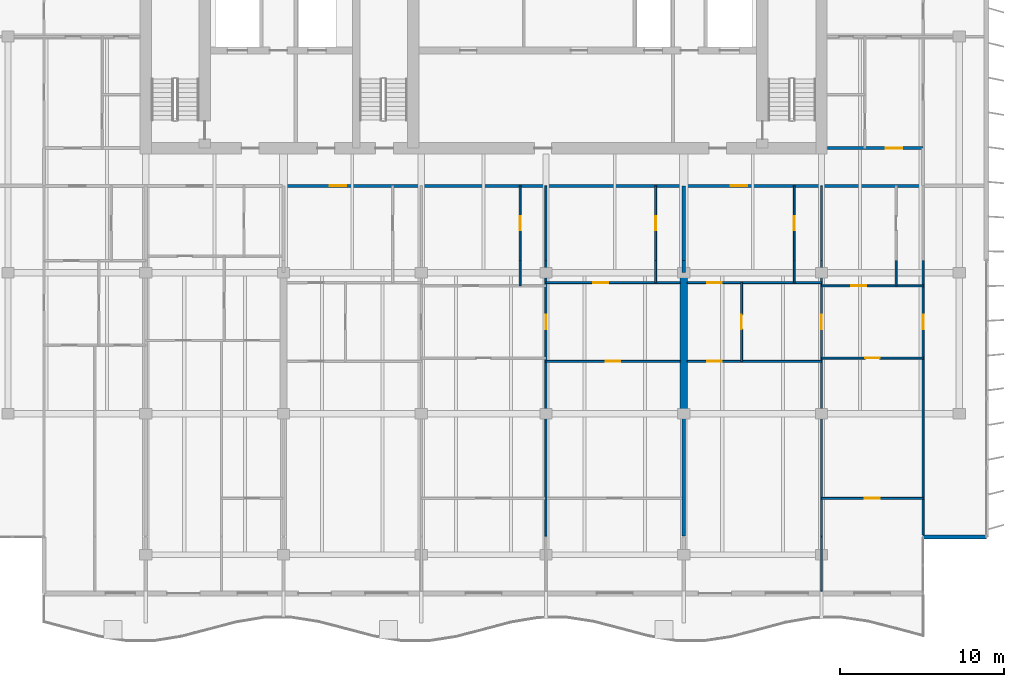
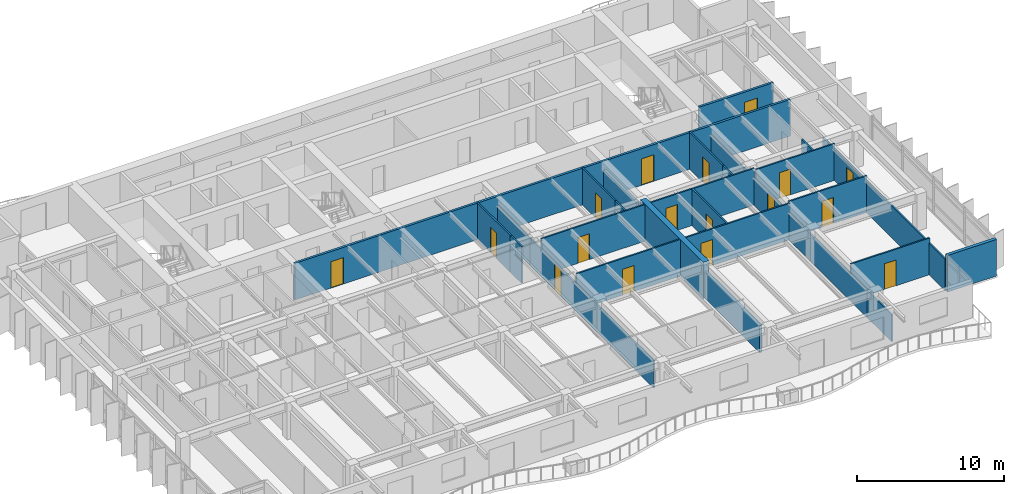
# One storey, part 8 of 16: 28 walls, 17 doors, 17 openings.
"""IFC4 building model written with IfcOpenShell, lengths in metres."""

from ifc_helpers import new_model, si_unit, direction, frame, frame_2d, origin, place, context, subcontext, project, spatial, rectangle, extrude, material, layer, layer_set, type_object, element, fill, save


model = new_model("IFC4")

# Units and contexts
model_context = context("Model", 3, precision=1e-05, world=origin(), true_north=direction((0.0, 1.0)))
body_context = subcontext(model_context, "Body", "Model", "MODEL_VIEW")
ifc_project = project(units=[si_unit("LENGTHUNIT", "METRE"), si_unit("AREAUNIT", "SQUARE_METRE"), si_unit("VOLUMEUNIT", "CUBIC_METRE"), si_unit("PLANEANGLEUNIT", "RADIAN"), si_unit("MASSUNIT", "GRAM", prefix="KILO")], contexts=[model_context])

# Site, building, storey
site_placement = place(None, origin())
site = spatial("IfcSite", under=ifc_project, at=site_placement, CompositionType="ELEMENT")
building_placement = place(site_placement, origin())
building = spatial("IfcBuilding", under=site, at=building_placement, Name="Caelmar Bay Residences", CompositionType="ELEMENT")
storey_placement = place(building_placement, frame((0.0, 0.0, 249.60009765625)))
storey = spatial("IfcBuildingStorey", under=building, at=storey_placement, Name="L70", CompositionType="ELEMENT", Elevation=249.60009765625)

# Wall
ifc_material_1 = material(Name="Concrete f'c 55 MPa (8,000 psi)", Category="concrete")
ifc_layer_1 = layer(ifc_material_1, 0.449951171875)
ifc_layer_set_1 = layer_set([ifc_layer_1], Name="Concrete f'c 55 MPa (8,000 psi)")
wall_type_1 = type_object("IfcWallType", Name="SW-XSLB-450", PredefinedType="SHEAR", material=ifc_layer_set_1)
wall_1_placement = place(storey_placement, frame((51.10009765625, 20.800048828125, 0.0), z_axis=(0.0, 0.0, 1.0), x_axis=(0.0, 1.0, 0.0)))
element("IfcWall", 1, at=wall_1_placement, inside=storey, type_object=wall_type_1, Name="L70 Transverse Cross-Slab Shear Wall E8", PredefinedType="SHEAR", context=body_context, shape_type="SweptSolid", body=[
    extrude(rectangle(XDim=8.599853515625, YDim=0.449951171875, at=frame_2d((4.2998046875, 0.0))), origin(), (0.0, 0.0, 1.0), 3.0498046875),
])

# Wall, openings, doors
ifc_material_2 = material(Name="Double-stud acoustic fire-rated gypsum partition 180 mm")
ifc_layer_2 = layer(ifc_material_2, 0.179931640625)
ifc_layer_set_2 = layer_set([ifc_layer_2], Name="Double-stud acoustic fire-rated gypsum partition 180 mm")
wall_type_2 = type_object("IfcWallType", Name="W-COR-200", PredefinedType="PARTITIONING", material=ifc_layer_set_2)
wall_2_placement = place(storey_placement, frame((26.699951171875, 34.699951171875, 0.0), z_axis=(0.0, 0.0, 1.0), x_axis=(1.0, 0.0, 0.0)))
wall_2 = element("IfcWall", 2, at=wall_2_placement, inside=storey, type_object=wall_type_2, Name="L70 Partition Wall H086", PredefinedType="PARTITIONING", context=body_context, shape_type="SweptSolid", body=[
    extrude(rectangle(XDim=39.0, YDim=0.179931640625, at=frame_2d((19.5, 0.0))), origin(), (0.0, 0.0, 1.0), 3.0498046875),
])
opening_1_placement = place(wall_2_placement, frame((2.826904296875, 0.0, 0.0)))
opening_1 = element("IfcOpeningElement", 3, at=opening_1_placement, cuts=wall_2, Name="Opening D-L70-137", PredefinedType="OPENING", context=body_context, shape_type="SweptSolid", body=[
    extrude(rectangle(XDim=1.0, YDim=2.199951171875, at=frame_2d((0.5, 1.10009765625))), frame((0.0, 0.099853515625, 0.0), z_axis=(0.0, -1.0, 0.0), x_axis=(1.0, 0.0, 0.0)), (0.0, 0.0, 1.0), 0.199951171875),
])
opening_2_placement = place(wall_2_placement, frame((27.26953125, 0.0, 0.0)))
opening_2 = element("IfcOpeningElement", 4, at=opening_2_placement, cuts=wall_2, Name="Opening D-L70-152", PredefinedType="OPENING", context=body_context, shape_type="SweptSolid", body=[
    extrude(rectangle(XDim=1.0, YDim=2.199951171875, at=frame_2d((0.5, 1.10009765625))), frame((0.0, 0.099853515625, 0.0), z_axis=(0.0, -1.0, 0.0), x_axis=(1.0, 0.0, 0.0)), (0.0, 0.0, 1.0), 0.199951171875),
])
ifc_material_3 = material(Name="Fire-rated steel and walnut architectural door assembly", Category="steel")
ifc_layer_3 = layer(ifc_material_3, 0.050048828125)
ifc_layer_set_3 = layer_set([ifc_layer_3], Name="Fire-rated steel and walnut architectural door assembly")
door_type_1 = type_object("IfcDoorType", Name="D-UNIT-1000", OperationType="NOTDEFINED", PredefinedType="DOOR", material=ifc_layer_set_3)
door_1_placement = place(opening_1_placement, origin())
door_1 = element("IfcDoor", 5, at=door_1_placement, inside=storey, type_object=door_type_1, Name="L70 Residence 03 Apartment Hall Door", OperationType="SINGLE_SWING_LEFT", OverallHeight=2.199951171875, OverallWidth=1.0, PredefinedType="DOOR", context=body_context, shape_type="SweptSolid", body=[
    extrude(rectangle(XDim=1.0, YDim=2.199951171875, at=frame_2d((0.5, 1.10009765625))), frame((0.0, 0.02490234375, 0.0), z_axis=(0.0, -1.0, 0.0), x_axis=(1.0, 0.0, 0.0)), (0.0, 0.0, 1.0), 0.050048828125),
])
fill(opening_1, door_1)
door_2_placement = place(opening_2_placement, origin())
door_2 = element("IfcDoor", 6, at=door_2_placement, inside=storey, type_object=door_type_1, Name="L70 Residence 04 Apartment Hall Door", OperationType="SINGLE_SWING_RIGHT", OverallHeight=2.199951171875, OverallWidth=1.0, PredefinedType="DOOR", context=body_context, shape_type="SweptSolid", body=[
    extrude(rectangle(XDim=1.0, YDim=2.199951171875, at=frame_2d((0.5, 1.10009765625))), frame((0.0, 0.02490234375, 0.0), z_axis=(0.0, -1.0, 0.0), x_axis=(1.0, 0.0, 0.0)), (0.0, 0.0, 1.0), 0.050048828125),
])
fill(opening_2, door_2)

# Wall, opening, door
wall_3_placement = place(storey_placement, frame((59.85498046875, 37.0, 0.0), z_axis=(0.0, 0.0, 1.0), x_axis=(1.0, 0.0, 0.0)))
wall_3 = element("IfcWall", 7, at=wall_3_placement, inside=storey, type_object=wall_type_2, Name="L70 Partition Wall H089", PredefinedType="PARTITIONING", context=body_context, shape_type="SweptSolid", body=[
    extrude(rectangle(XDim=5.844970703125, YDim=0.179931640625, at=frame_2d((2.92236328125, 0.0))), origin(), (0.0, 0.0, 1.0), 3.0498046875),
])
opening_3_placement = place(wall_3_placement, frame((3.570068359375, 0.0, 0.0)))
opening_3 = element("IfcOpeningElement", 8, at=opening_3_placement, cuts=wall_3, Name="Opening D-L70-170", PredefinedType="OPENING", context=body_context, shape_type="SweptSolid", body=[
    extrude(rectangle(XDim=1.0, YDim=2.199951171875, at=frame_2d((0.5, 1.10009765625))), frame((0.0, 0.099853515625, 0.0), z_axis=(0.0, -1.0, 0.0), x_axis=(1.0, 0.0, 0.0)), (0.0, 0.0, 1.0), 0.199951171875),
])
door_3_placement = place(opening_3_placement, origin())
door_3 = element("IfcDoor", 9, at=door_3_placement, inside=storey, type_object=door_type_1, Name="L70 Residence EA Kitchen Door", OperationType="SINGLE_SWING_RIGHT", OverallHeight=2.199951171875, OverallWidth=1.0, PredefinedType="DOOR", context=body_context, shape_type="SweptSolid", body=[
    extrude(rectangle(XDim=1.0, YDim=2.199951171875, at=frame_2d((0.5, 1.10009765625))), frame((0.0, 0.02490234375, 0.0), z_axis=(0.0, -1.0, 0.0), x_axis=(1.0, 0.0, 0.0)), (0.0, 0.0, 1.0), 0.050048828125),
])
fill(opening_3, door_3)

# Walls
ifc_material_4 = material(Name="Precast concrete f'c 40 MPa (6,000 psi)", Category="concrete")
ifc_layer_4 = layer(ifc_material_4, 0.25)
ifc_layer_set_4 = layer_set([ifc_layer_4], Name="Precast concrete f'c 40 MPa (6,000 psi)")
wall_type_3 = type_object("IfcWallType", Name="W-EXT-250", PredefinedType="ELEMENTEDWALL", material=ifc_layer_set_4)
wall_4_placement = place(storey_placement, frame((65.699951171875, 13.300048828125, 0.0), z_axis=(0.0, 0.0, 1.0), x_axis=(1.0, 0.0, 0.0)))
element("IfcWall", 10, at=wall_4_placement, inside=storey, type_object=wall_type_3, Name="L70 SE Notch Return Wall", PredefinedType="ELEMENTEDWALL", context=body_context, shape_type="SweptSolid", body=[
    extrude(rectangle(XDim=3.85009765625, YDim=0.25, at=frame_2d((1.925048828125, 0.0))), origin(), (0.0, 0.0, 1.0), 3.0498046875),
])
ifc_material_5 = material(Name="Acoustic metal-stud gypsum partition 120 mm")
ifc_layer_5 = layer(ifc_material_5, 0.1201171875)
ifc_layer_set_5 = layer_set([ifc_layer_5], Name="Acoustic metal-stud gypsum partition 120 mm")
wall_type_4 = type_object("IfcWallType", Name="W-PRT-120", PredefinedType="PARTITIONING", material=ifc_layer_set_5)
wall_5_placement = place(storey_placement, frame((41.1259765625, 28.60009765625, 0.0), z_axis=(0.0, 0.0, 1.0), x_axis=(0.0, 1.0, 0.0)))
element("IfcWall", 11, at=wall_5_placement, inside=storey, type_object=wall_type_4, Name="L70 Partition Wall V035", PredefinedType="PARTITIONING", context=body_context, shape_type="SweptSolid", body=[
    extrude(rectangle(XDim=1.539794921875, YDim=0.1201171875, at=frame_2d((0.77001953125, 0.0))), origin(), (0.0, 0.0, 1.0), 3.0498046875),
])

# Wall, opening, door
wall_6_placement = place(storey_placement, frame((41.1259765625, 30.14990234375, 0.0), z_axis=(0.0, 0.0, 1.0), x_axis=(0.0, 1.0, 0.0)))
wall_6 = element("IfcWall", 12, at=wall_6_placement, inside=storey, type_object=wall_type_4, Name="L70 Partition Wall V036", PredefinedType="PARTITIONING", context=body_context, shape_type="SweptSolid", body=[
    extrude(rectangle(XDim=4.550048828125, YDim=0.1201171875, at=frame_2d((2.27490234375, 0.0))), origin(), (0.0, 0.0, 1.0), 3.0498046875),
])
opening_4_placement = place(wall_6_placement, frame((1.85009765625, 0.0, 0.0)))
opening_4 = element("IfcOpeningElement", 13, at=opening_4_placement, cuts=wall_6, Name="Opening D-L70-144", PredefinedType="OPENING", context=body_context, shape_type="SweptSolid", body=[
    extrude(rectangle(XDim=0.85009765625, YDim=2.10009765625, at=frame_2d((0.425048828125, 1.050048828125))), frame((0.0, 0.070068359375, 0.0), z_axis=(0.0, -1.0, 0.0), x_axis=(1.0, 0.0, 0.0)), (0.0, 0.0, 1.0), 0.14013671875),
])
ifc_material_6 = material(Name="Solid walnut timber interior door leaf and frame", Category="wood")
ifc_layer_6 = layer(ifc_material_6, 0.050048828125)
ifc_layer_set_6 = layer_set([ifc_layer_6], Name="Solid walnut timber interior door leaf and frame")
door_type_2 = type_object("IfcDoorType", Name="D-BATH-850", OperationType="NOTDEFINED", PredefinedType="DOOR", material=ifc_layer_set_6)
door_4_placement = place(opening_4_placement, origin())
door_4 = element("IfcDoor", 14, at=door_4_placement, inside=storey, type_object=door_type_2, Name="L70 Residence 03 En-Suite Bathroom 1 Door", OperationType="SINGLE_SWING_RIGHT", OverallHeight=2.10009765625, OverallWidth=0.85009765625, PredefinedType="DOOR", context=body_context, shape_type="SweptSolid", body=[
    extrude(rectangle(XDim=0.85009765625, YDim=2.10009765625, at=frame_2d((0.425048828125, 1.050048828125))), frame((0.0, 0.02490234375, 0.0), z_axis=(0.0, -1.0, 0.0), x_axis=(1.0, 0.0, 0.0)), (0.0, 0.0, 1.0), 0.050048828125),
])
fill(opening_4, door_4)

wall_7_placement = place(storey_placement, frame((42.699951171875, 13.340087890625, 0.0), z_axis=(0.0, 0.0, 1.0), x_axis=(0.0, 1.0, 0.0)))
wall_7 = element("IfcWall", 15, at=wall_7_placement, inside=storey, type_object=wall_type_4, Name="L70 Partition Wall V039", PredefinedType="PARTITIONING", context=body_context, shape_type="SweptSolid", body=[
    extrude(rectangle(XDim=16.7998046875, YDim=0.1201171875, at=frame_2d((8.39990234375, 0.0))), origin(), (0.0, 0.0, 1.0), 2.262939453125),
])
opening_5_placement = place(wall_7_placement, frame((12.610107421875, 0.0, 0.0)))
opening_5 = element("IfcOpeningElement", 16, at=opening_5_placement, cuts=wall_7, Name="Opening D-L70-147", PredefinedType="OPENING", context=body_context, shape_type="SweptSolid", body=[
    extrude(rectangle(XDim=0.89990234375, YDim=2.14990234375, at=frame_2d((0.449951171875, 1.074951171875))), frame((0.0, 0.070068359375, 0.0), z_axis=(0.0, -1.0, 0.0), x_axis=(1.0, 0.0, 0.0)), (0.0, 0.0, 1.0), 0.14013671875),
])
ifc_layer_7 = layer(ifc_material_6, 0.050048828125)
ifc_layer_set_7 = layer_set([ifc_layer_7], Name="Solid walnut timber interior door leaf and frame")
door_type_3 = type_object("IfcDoorType", Name="D-ROOM-900", OperationType="NOTDEFINED", PredefinedType="DOOR", material=ifc_layer_set_7)
door_5_placement = place(opening_5_placement, origin())
door_5 = element("IfcDoor", 17, at=door_5_placement, inside=storey, type_object=door_type_3, Name="L70 Residence 03 Conference Study 2 Door", OperationType="SINGLE_SWING_LEFT", OverallHeight=2.14990234375, OverallWidth=0.89990234375, PredefinedType="DOOR", context=body_context, shape_type="SweptSolid", body=[
    extrude(rectangle(XDim=0.89990234375, YDim=2.14990234375, at=frame_2d((0.449951171875, 1.074951171875))), frame((0.0, 0.02490234375, 0.0), z_axis=(0.0, -1.0, 0.0), x_axis=(1.0, 0.0, 0.0)), (0.0, 0.0, 1.0), 0.050048828125),
])
fill(opening_5, door_5)

# Walls
wall_8_placement = place(storey_placement, frame((42.699951171875, 30.14990234375, 0.0), z_axis=(0.0, 0.0, 1.0), x_axis=(0.0, 1.0, 0.0)))
element("IfcWall", 18, at=wall_8_placement, inside=storey, type_object=wall_type_4, Name="L70 Partition Wall V040", PredefinedType="PARTITIONING", context=body_context, shape_type="SweptSolid", body=[
    extrude(rectangle(XDim=4.550048828125, YDim=0.1201171875, at=frame_2d((2.27490234375, 0.0))), origin(), (0.0, 0.0, 1.0), 2.262939453125),
])
wall_9_placement = place(storey_placement, frame((49.387939453125, 28.800048828125, 0.0), z_axis=(0.0, 0.0, 1.0), x_axis=(0.0, 1.0, 0.0)))
element("IfcWall", 19, at=wall_9_placement, inside=storey, type_object=wall_type_4, Name="L70 Partition Wall V043", PredefinedType="PARTITIONING", context=body_context, shape_type="SweptSolid", body=[
    extrude(rectangle(XDim=1.33984375, YDim=0.1201171875, at=frame_2d((0.669921875, 0.0))), origin(), (0.0, 0.0, 1.0), 3.0498046875),
])

# Wall, opening, door
wall_10_placement = place(storey_placement, frame((49.387939453125, 30.14990234375, 0.0), z_axis=(0.0, 0.0, 1.0), x_axis=(0.0, 1.0, 0.0)))
wall_10 = element("IfcWall", 20, at=wall_10_placement, inside=storey, type_object=wall_type_4, Name="L70 Partition Wall V044", PredefinedType="PARTITIONING", context=body_context, shape_type="SweptSolid", body=[
    extrude(rectangle(XDim=4.550048828125, YDim=0.1201171875, at=frame_2d((2.27490234375, 0.0))), origin(), (0.0, 0.0, 1.0), 3.0498046875),
])
opening_6_placement = place(wall_10_placement, frame((1.85009765625, 0.0, 0.0)))
opening_6 = element("IfcOpeningElement", 21, at=opening_6_placement, cuts=wall_10, Name="Opening D-L70-149", PredefinedType="OPENING", context=body_context, shape_type="SweptSolid", body=[
    extrude(rectangle(XDim=0.85009765625, YDim=2.10009765625, at=frame_2d((0.425048828125, 1.050048828125))), frame((0.0, 0.070068359375, 0.0), z_axis=(0.0, -1.0, 0.0), x_axis=(1.0, 0.0, 0.0)), (0.0, 0.0, 1.0), 0.14013671875),
])
door_6_placement = place(opening_6_placement, origin())
door_6 = element("IfcDoor", 22, at=door_6_placement, inside=storey, type_object=door_type_2, Name="L70 Residence 03 En-Suite Bathroom 2 Door", OperationType="SINGLE_SWING_LEFT", OverallHeight=2.10009765625, OverallWidth=0.85009765625, PredefinedType="DOOR", context=body_context, shape_type="SweptSolid", body=[
    extrude(rectangle(XDim=0.85009765625, YDim=2.10009765625, at=frame_2d((0.425048828125, 1.050048828125))), frame((0.0, 0.02490234375, 0.0), z_axis=(0.0, -1.0, 0.0), x_axis=(1.0, 0.0, 0.0)), (0.0, 0.0, 1.0), 0.050048828125),
])
fill(opening_6, door_6)

wall_11_placement = place(storey_placement, frame((54.6279296875, 24.0, 0.0), z_axis=(0.0, 0.0, 1.0), x_axis=(0.0, 1.0, 0.0)))
wall_11 = element("IfcWall", 23, at=wall_11_placement, inside=storey, type_object=wall_type_4, Name="L70 Partition Wall V053", PredefinedType="PARTITIONING", context=body_context, shape_type="SweptSolid", body=[
    extrude(rectangle(XDim=4.800048828125, YDim=0.1201171875, at=frame_2d((2.39990234375, 0.0))), origin(), (0.0, 0.0, 1.0), 3.0498046875),
])
opening_7_placement = place(wall_11_placement, frame((1.949951171875, 0.0, 0.0)))
opening_7 = element("IfcOpeningElement", 24, at=opening_7_placement, cuts=wall_11, Name="Opening D-L70-155", PredefinedType="OPENING", context=body_context, shape_type="SweptSolid", body=[
    extrude(rectangle(XDim=0.89990234375, YDim=2.14990234375, at=frame_2d((0.449951171875, 1.074951171875))), frame((0.0, 0.070068359375, 0.0), z_axis=(0.0, -1.0, 0.0), x_axis=(1.0, 0.0, 0.0)), (0.0, 0.0, 1.0), 0.14013671875),
])
door_7_placement = place(opening_7_placement, origin())
door_7 = element("IfcDoor", 25, at=door_7_placement, inside=storey, type_object=door_type_3, Name="L70 Residence 04 Kitchen Door", OperationType="SINGLE_SWING_LEFT", OverallHeight=2.14990234375, OverallWidth=0.89990234375, PredefinedType="DOOR", context=body_context, shape_type="SweptSolid", body=[
    extrude(rectangle(XDim=0.89990234375, YDim=2.14990234375, at=frame_2d((0.449951171875, 1.074951171875))), frame((0.0, 0.02490234375, 0.0), z_axis=(0.0, -1.0, 0.0), x_axis=(1.0, 0.0, 0.0)), (0.0, 0.0, 1.0), 0.050048828125),
])
fill(opening_7, door_7)

# Wall
wall_12_placement = place(storey_placement, frame((57.839111328125, 28.800048828125, 0.0), z_axis=(0.0, 0.0, 1.0), x_axis=(0.0, 1.0, 0.0)))
element("IfcWall", 26, at=wall_12_placement, inside=storey, type_object=wall_type_4, Name="L70 Partition Wall V055", PredefinedType="PARTITIONING", context=body_context, shape_type="SweptSolid", body=[
    extrude(rectangle(XDim=1.33984375, YDim=0.1201171875, at=frame_2d((0.669921875, 0.0))), origin(), (0.0, 0.0, 1.0), 3.0498046875),
])

# Wall, opening, door
wall_13_placement = place(storey_placement, frame((57.839111328125, 30.14990234375, 0.0), z_axis=(0.0, 0.0, 1.0), x_axis=(0.0, 1.0, 0.0)))
wall_13 = element("IfcWall", 27, at=wall_13_placement, inside=storey, type_object=wall_type_4, Name="L70 Partition Wall V056", PredefinedType="PARTITIONING", context=body_context, shape_type="SweptSolid", body=[
    extrude(rectangle(XDim=4.550048828125, YDim=0.1201171875, at=frame_2d((2.27490234375, 0.0))), origin(), (0.0, 0.0, 1.0), 3.0498046875),
])
opening_8_placement = place(wall_13_placement, frame((1.85009765625, 0.0, 0.0)))
opening_8 = element("IfcOpeningElement", 28, at=opening_8_placement, cuts=wall_13, Name="Opening D-L70-153", PredefinedType="OPENING", context=body_context, shape_type="SweptSolid", body=[
    extrude(rectangle(XDim=0.85009765625, YDim=2.10009765625, at=frame_2d((0.425048828125, 1.050048828125))), frame((0.0, 0.070068359375, 0.0), z_axis=(0.0, -1.0, 0.0), x_axis=(1.0, 0.0, 0.0)), (0.0, 0.0, 1.0), 0.14013671875),
])
door_8_placement = place(opening_8_placement, origin())
door_8 = element("IfcDoor", 29, at=door_8_placement, inside=storey, type_object=door_type_2, Name="L70 Residence 04 Guest Bathroom Door", OperationType="SINGLE_SWING_LEFT", OverallHeight=2.10009765625, OverallWidth=0.85009765625, PredefinedType="DOOR", context=body_context, shape_type="SweptSolid", body=[
    extrude(rectangle(XDim=0.85009765625, YDim=2.10009765625, at=frame_2d((0.425048828125, 1.050048828125))), frame((0.0, 0.02490234375, 0.0), z_axis=(0.0, -1.0, 0.0), x_axis=(1.0, 0.0, 0.0)), (0.0, 0.0, 1.0), 0.050048828125),
])
fill(opening_8, door_8)

# Wall
wall_14_placement = place(storey_placement, frame((59.5, 9.9951171875, 0.0), z_axis=(0.0, 0.0, 1.0), x_axis=(0.0, 1.0, 0.0)))
element("IfcWall", 30, at=wall_14_placement, inside=storey, type_object=wall_type_4, Name="L70 Partition Wall V057", PredefinedType="PARTITIONING", context=body_context, shape_type="SweptSolid", body=[
    extrude(rectangle(XDim=3.304931640625, YDim=0.1201171875, at=frame_2d((1.65234375, 0.0))), origin(), (0.0, 0.0, 1.0), 2.262939453125),
])

# Wall, opening, door
wall_15_placement = place(storey_placement, frame((59.5, 13.340087890625, 0.0), z_axis=(0.0, 0.0, 1.0), x_axis=(0.0, 1.0, 0.0)))
wall_15 = element("IfcWall", 31, at=wall_15_placement, inside=storey, type_object=wall_type_4, Name="L70 Partition Wall V058", PredefinedType="PARTITIONING", context=body_context, shape_type="SweptSolid", body=[
    extrude(rectangle(XDim=16.7998046875, YDim=0.1201171875, at=frame_2d((8.39990234375, 0.0))), origin(), (0.0, 0.0, 1.0), 2.262939453125),
])
opening_9_placement = place(wall_15_placement, frame((12.610107421875, 0.0, 0.0)))
opening_9 = element("IfcOpeningElement", 32, at=opening_9_placement, cuts=wall_15, Name="Opening D-L70-157", PredefinedType="OPENING", context=body_context, shape_type="SweptSolid", body=[
    extrude(rectangle(XDim=0.89990234375, YDim=2.14990234375, at=frame_2d((0.449951171875, 1.074951171875))), frame((0.0, 0.070068359375, 0.0), z_axis=(0.0, -1.0, 0.0), x_axis=(1.0, 0.0, 0.0)), (0.0, 0.0, 1.0), 0.14013671875),
])
door_9_placement = place(opening_9_placement, origin())
door_9 = element("IfcDoor", 33, at=door_9_placement, inside=storey, type_object=door_type_3, Name="L70 Residence 04 Conference Study 1 Door", OperationType="SINGLE_SWING_LEFT", OverallHeight=2.14990234375, OverallWidth=0.89990234375, PredefinedType="DOOR", context=body_context, shape_type="SweptSolid", body=[
    extrude(rectangle(XDim=0.89990234375, YDim=2.14990234375, at=frame_2d((0.449951171875, 1.074951171875))), frame((0.0, 0.02490234375, 0.0), z_axis=(0.0, -1.0, 0.0), x_axis=(1.0, 0.0, 0.0)), (0.0, 0.0, 1.0), 0.050048828125),
])
fill(opening_9, door_9)

# Walls
wall_16_placement = place(storey_placement, frame((59.5, 30.14990234375, 0.0), z_axis=(0.0, 0.0, 1.0), x_axis=(0.0, 1.0, 0.0)))
element("IfcWall", 34, at=wall_16_placement, inside=storey, type_object=wall_type_4, Name="L70 Partition Wall V059", PredefinedType="PARTITIONING", context=body_context, shape_type="SweptSolid", body=[
    extrude(rectangle(XDim=4.550048828125, YDim=0.1201171875, at=frame_2d((2.27490234375, 0.0))), origin(), (0.0, 0.0, 1.0), 2.262939453125),
])
wall_17_placement = place(storey_placement, frame((64.0439453125, 28.60009765625, 0.0), z_axis=(0.0, 0.0, 1.0), x_axis=(0.0, 1.0, 0.0)))
element("IfcWall", 35, at=wall_17_placement, inside=storey, type_object=wall_type_4, Name="L70 Partition Wall V061", PredefinedType="PARTITIONING", context=body_context, shape_type="SweptSolid", body=[
    extrude(rectangle(XDim=1.539794921875, YDim=0.1201171875, at=frame_2d((0.77001953125, 0.0))), origin(), (0.0, 0.0, 1.0), 3.0498046875),
])

# Wall, opening, door
wall_18_placement = place(storey_placement, frame((65.699951171875, 13.419921875, 0.0), z_axis=(0.0, 0.0, 1.0), x_axis=(0.0, 1.0, 0.0)))
wall_18 = element("IfcWall", 36, at=wall_18_placement, inside=storey, type_object=wall_type_4, Name="L70 Partition Wall V063", PredefinedType="PARTITIONING", context=body_context, shape_type="SweptSolid", body=[
    extrude(rectangle(XDim=16.719970703125, YDim=0.1201171875, at=frame_2d((8.35986328125, 0.0))), origin(), (0.0, 0.0, 1.0), 2.62890625),
])
opening_10_placement = place(wall_18_placement, frame((12.530029296875, 0.0, 0.0)))
opening_10 = element("IfcOpeningElement", 37, at=opening_10_placement, cuts=wall_18, Name="Opening D-L70-163", PredefinedType="OPENING", context=body_context, shape_type="SweptSolid", body=[
    extrude(rectangle(XDim=0.89990234375, YDim=2.14990234375, at=frame_2d((0.449951171875, 1.074951171875))), frame((0.0, 0.070068359375, 0.0), z_axis=(0.0, -1.0, 0.0), x_axis=(1.0, 0.0, 0.0)), (0.0, 0.0, 1.0), 0.14013671875),
])
door_10_placement = place(opening_10_placement, origin())
door_10 = element("IfcDoor", 38, at=door_10_placement, inside=storey, type_object=door_type_3, Name="L70 Residence 04 Penthouse East Salon Door", OperationType="SINGLE_SWING_LEFT", OverallHeight=2.14990234375, OverallWidth=0.89990234375, PredefinedType="DOOR", context=body_context, shape_type="SweptSolid", body=[
    extrude(rectangle(XDim=0.89990234375, YDim=2.14990234375, at=frame_2d((0.449951171875, 1.074951171875))), frame((0.0, 0.02490234375, 0.0), z_axis=(0.0, -1.0, 0.0), x_axis=(1.0, 0.0, 0.0)), (0.0, 0.0, 1.0), 0.050048828125),
])
fill(opening_10, door_10)

wall_19_placement = place(storey_placement, frame((59.5, 15.64990234375, 0.0), z_axis=(0.0, 0.0, 1.0), x_axis=(1.0, 0.0, 0.0)))
wall_19 = element("IfcWall", 39, at=wall_19_placement, inside=storey, type_object=wall_type_4, Name="L70 Partition Wall H069", PredefinedType="PARTITIONING", context=body_context, shape_type="SweptSolid", body=[
    extrude(rectangle(XDim=6.199951171875, YDim=0.1201171875, at=frame_2d((3.10009765625, 0.0))), origin(), (0.0, 0.0, 1.0), 3.0498046875),
])
opening_11_placement = place(wall_19_placement, frame((2.64990234375, 0.0, 0.0)))
opening_11 = element("IfcOpeningElement", 40, at=opening_11_placement, cuts=wall_19, Name="Opening D-L70-161", PredefinedType="OPENING", context=body_context, shape_type="SweptSolid", body=[
    extrude(rectangle(XDim=0.89990234375, YDim=2.14990234375, at=frame_2d((0.449951171875, 1.074951171875))), frame((0.0, 0.070068359375, 0.0), z_axis=(0.0, -1.0, 0.0), x_axis=(1.0, 0.0, 0.0)), (0.0, 0.0, 1.0), 0.14013671875),
])
door_11_placement = place(opening_11_placement, origin())
door_11 = element("IfcDoor", 41, at=door_11_placement, inside=storey, type_object=door_type_3, Name="L70 Residence 04 Primary Bedroom 1 Door", OperationType="SINGLE_SWING_LEFT", OverallHeight=2.14990234375, OverallWidth=0.89990234375, PredefinedType="DOOR", context=body_context, shape_type="SweptSolid", body=[
    extrude(rectangle(XDim=0.89990234375, YDim=2.14990234375, at=frame_2d((0.449951171875, 1.074951171875))), frame((0.0, 0.02490234375, 0.0), z_axis=(0.0, -1.0, 0.0), x_axis=(1.0, 0.0, 0.0)), (0.0, 0.0, 1.0), 0.050048828125),
])
fill(opening_11, door_11)

wall_20_placement = place(storey_placement, frame((42.699951171875, 24.0, 0.0), z_axis=(0.0, 0.0, 1.0), x_axis=(1.0, 0.0, 0.0)))
wall_20 = element("IfcWall", 42, at=wall_20_placement, inside=storey, type_object=wall_type_4, Name="L70 Partition Wall H071", PredefinedType="PARTITIONING", context=body_context, shape_type="SweptSolid", body=[
    extrude(rectangle(XDim=8.179931640625, YDim=0.1201171875, at=frame_2d((4.08984375, 0.0))), origin(), (0.0, 0.0, 1.0), 3.0498046875),
])
opening_12_placement = place(wall_20_placement, frame((3.639892578125, 0.0, 0.0)))
opening_12 = element("IfcOpeningElement", 43, at=opening_12_placement, cuts=wall_20, Name="Opening D-L70-150", PredefinedType="OPENING", context=body_context, shape_type="SweptSolid", body=[
    extrude(rectangle(XDim=0.89990234375, YDim=2.14990234375, at=frame_2d((0.449951171875, 1.074951171875))), frame((0.0, 0.070068359375, 0.0), z_axis=(0.0, -1.0, 0.0), x_axis=(1.0, 0.0, 0.0)), (0.0, 0.0, 1.0), 0.14013671875),
])
door_12_placement = place(opening_12_placement, origin())
door_12 = element("IfcDoor", 44, at=door_12_placement, inside=storey, type_object=door_type_3, Name="L70 Residence 03 Penthouse Sitting Salon 2 Door", OperationType="SINGLE_SWING_RIGHT", OverallHeight=2.14990234375, OverallWidth=0.89990234375, PredefinedType="DOOR", context=body_context, shape_type="SweptSolid", body=[
    extrude(rectangle(XDim=0.89990234375, YDim=2.14990234375, at=frame_2d((0.449951171875, 1.074951171875))), frame((0.0, 0.02490234375, 0.0), z_axis=(0.0, -1.0, 0.0), x_axis=(1.0, 0.0, 0.0)), (0.0, 0.0, 1.0), 0.050048828125),
])
fill(opening_12, door_12)

wall_21_placement = place(storey_placement, frame((51.320068359375, 24.0, 0.0), z_axis=(0.0, 0.0, 1.0), x_axis=(1.0, 0.0, 0.0)))
wall_21 = element("IfcWall", 45, at=wall_21_placement, inside=storey, type_object=wall_type_4, Name="L70 Partition Wall H072", PredefinedType="PARTITIONING", context=body_context, shape_type="SweptSolid", body=[
    extrude(rectangle(XDim=8.179931640625, YDim=0.1201171875, at=frame_2d((4.08984375, 0.0))), origin(), (0.0, 0.0, 1.0), 3.0498046875),
])
opening_13_placement = place(wall_21_placement, frame((1.2041015625, 0.0, 0.0)))
opening_13 = element("IfcOpeningElement", 46, at=opening_13_placement, cuts=wall_21, Name="Opening D-L70-156", PredefinedType="OPENING", context=body_context, shape_type="SweptSolid", body=[
    extrude(rectangle(XDim=0.89990234375, YDim=2.14990234375, at=frame_2d((0.449951171875, 1.074951171875))), frame((0.0, 0.070068359375, 0.0), z_axis=(0.0, -1.0, 0.0), x_axis=(1.0, 0.0, 0.0)), (0.0, 0.0, 1.0), 0.14013671875),
])
door_13_placement = place(opening_13_placement, origin())
door_13 = element("IfcDoor", 47, at=door_13_placement, inside=storey, type_object=door_type_3, Name="L70 Residence 04 Penthouse Living Salon Door", OperationType="SINGLE_SWING_RIGHT", OverallHeight=2.14990234375, OverallWidth=0.89990234375, PredefinedType="DOOR", context=body_context, shape_type="SweptSolid", body=[
    extrude(rectangle(XDim=0.89990234375, YDim=2.14990234375, at=frame_2d((0.449951171875, 1.074951171875))), frame((0.0, 0.02490234375, 0.0), z_axis=(0.0, -1.0, 0.0), x_axis=(1.0, 0.0, 0.0)), (0.0, 0.0, 1.0), 0.050048828125),
])
fill(opening_13, door_13)

wall_22_placement = place(storey_placement, frame((59.5048828125, 24.199951171875, 0.0), z_axis=(0.0, 0.0, 1.0), x_axis=(1.0, 0.0, 0.0)))
wall_22 = element("IfcWall", 48, at=wall_22_placement, inside=storey, type_object=wall_type_4, Name="L70 Partition Wall H074", PredefinedType="PARTITIONING", context=body_context, shape_type="SweptSolid", body=[
    extrude(rectangle(XDim=6.195068359375, YDim=0.1201171875, at=frame_2d((3.09765625, 0.0))), origin(), (0.0, 0.0, 1.0), 3.0498046875),
])
opening_14_placement = place(wall_22_placement, frame((2.6474609375, 0.0, 0.0)))
opening_14 = element("IfcOpeningElement", 49, at=opening_14_placement, cuts=wall_22, Name="Opening D-L70-160", PredefinedType="OPENING", context=body_context, shape_type="SweptSolid", body=[
    extrude(rectangle(XDim=0.89990234375, YDim=2.14990234375, at=frame_2d((0.449951171875, 1.074951171875))), frame((0.0, 0.070068359375, 0.0), z_axis=(0.0, -1.0, 0.0), x_axis=(1.0, 0.0, 0.0)), (0.0, 0.0, 1.0), 0.14013671875),
])
door_14_placement = place(opening_14_placement, origin())
door_14 = element("IfcDoor", 50, at=door_14_placement, inside=storey, type_object=door_type_3, Name="L70 Residence 04 Penthouse Sitting Salon 1 Door", OperationType="SINGLE_SWING_RIGHT", OverallHeight=2.14990234375, OverallWidth=0.89990234375, PredefinedType="DOOR", context=body_context, shape_type="SweptSolid", body=[
    extrude(rectangle(XDim=0.89990234375, YDim=2.14990234375, at=frame_2d((0.449951171875, 1.074951171875))), frame((0.0, 0.02490234375, 0.0), z_axis=(0.0, -1.0, 0.0), x_axis=(1.0, 0.0, 0.0)), (0.0, 0.0, 1.0), 0.050048828125),
])
fill(opening_14, door_14)

wall_23_placement = place(storey_placement, frame((59.5, 28.60009765625, 0.0), z_axis=(0.0, 0.0, 1.0), x_axis=(1.0, 0.0, 0.0)))
wall_23 = element("IfcWall", 51, at=wall_23_placement, inside=storey, type_object=wall_type_4, Name="L70 Partition Wall H078", PredefinedType="PARTITIONING", context=body_context, shape_type="SweptSolid", body=[
    extrude(rectangle(XDim=6.199951171875, YDim=0.1201171875, at=frame_2d((3.10009765625, 0.0))), origin(), (0.0, 0.0, 1.0), 3.0498046875),
])
opening_15_placement = place(wall_23_placement, frame((1.822021484375, 0.0, 0.0)))
opening_15 = element("IfcOpeningElement", 52, at=opening_15_placement, cuts=wall_23, Name="Opening D-L70-158", PredefinedType="OPENING", context=body_context, shape_type="SweptSolid", body=[
    extrude(rectangle(XDim=0.89990234375, YDim=2.14990234375, at=frame_2d((0.449951171875, 1.074951171875))), frame((0.0, 0.070068359375, 0.0), z_axis=(0.0, -1.0, 0.0), x_axis=(1.0, 0.0, 0.0)), (0.0, 0.0, 1.0), 0.14013671875),
])
door_15_placement = place(opening_15_placement, origin())
door_15 = element("IfcDoor", 53, at=door_15_placement, inside=storey, type_object=door_type_3, Name="L70 Residence 04 Private Meeting Room 1 Door", OperationType="SINGLE_SWING_RIGHT", OverallHeight=2.14990234375, OverallWidth=0.89990234375, PredefinedType="DOOR", context=body_context, shape_type="SweptSolid", body=[
    extrude(rectangle(XDim=0.89990234375, YDim=2.14990234375, at=frame_2d((0.449951171875, 1.074951171875))), frame((0.0, 0.02490234375, 0.0), z_axis=(0.0, -1.0, 0.0), x_axis=(1.0, 0.0, 0.0)), (0.0, 0.0, 1.0), 0.050048828125),
])
fill(opening_15, door_15)

wall_24_placement = place(storey_placement, frame((42.705078125, 28.800048828125, 0.0), z_axis=(0.0, 0.0, 1.0), x_axis=(1.0, 0.0, 0.0)))
wall_24 = element("IfcWall", 54, at=wall_24_placement, inside=storey, type_object=wall_type_4, Name="L70 Partition Wall H080", PredefinedType="PARTITIONING", context=body_context, shape_type="SweptSolid", body=[
    extrude(rectangle(XDim=8.1748046875, YDim=0.1201171875, at=frame_2d((4.08740234375, 0.0))), origin(), (0.0, 0.0, 1.0), 3.0498046875),
])
opening_16_placement = place(wall_24_placement, frame((2.8916015625, 0.0, 0.0)))
opening_16 = element("IfcOpeningElement", 55, at=opening_16_placement, cuts=wall_24, Name="Opening D-L70-148", PredefinedType="OPENING", context=body_context, shape_type="SweptSolid", body=[
    extrude(rectangle(XDim=0.89990234375, YDim=2.14990234375, at=frame_2d((0.449951171875, 1.074951171875))), frame((0.0, 0.070068359375, 0.0), z_axis=(0.0, -1.0, 0.0), x_axis=(1.0, 0.0, 0.0)), (0.0, 0.0, 1.0), 0.14013671875),
])
door_16_placement = place(opening_16_placement, origin())
door_16 = element("IfcDoor", 56, at=door_16_placement, inside=storey, type_object=door_type_3, Name="L70 Residence 03 Private Meeting Room 2 Door", OperationType="SINGLE_SWING_RIGHT", OverallHeight=2.14990234375, OverallWidth=0.89990234375, PredefinedType="DOOR", context=body_context, shape_type="SweptSolid", body=[
    extrude(rectangle(XDim=0.89990234375, YDim=2.14990234375, at=frame_2d((0.449951171875, 1.074951171875))), frame((0.0, 0.02490234375, 0.0), z_axis=(0.0, -1.0, 0.0), x_axis=(1.0, 0.0, 0.0)), (0.0, 0.0, 1.0), 0.050048828125),
])
fill(opening_16, door_16)

wall_25_placement = place(storey_placement, frame((51.320068359375, 28.800048828125, 0.0), z_axis=(0.0, 0.0, 1.0), x_axis=(1.0, 0.0, 0.0)))
wall_25 = element("IfcWall", 57, at=wall_25_placement, inside=storey, type_object=wall_type_4, Name="L70 Partition Wall H081", PredefinedType="PARTITIONING", context=body_context, shape_type="SweptSolid", body=[
    extrude(rectangle(XDim=8.175048828125, YDim=0.1201171875, at=frame_2d((4.08740234375, 0.0))), origin(), (0.0, 0.0, 1.0), 3.0498046875),
])
opening_17_placement = place(wall_25_placement, frame((1.2041015625, 0.0, 0.0)))
opening_17 = element("IfcOpeningElement", 58, at=opening_17_placement, cuts=wall_25, Name="Opening D-L70-154", PredefinedType="OPENING", context=body_context, shape_type="SweptSolid", body=[
    extrude(rectangle(XDim=0.89990234375, YDim=2.14990234375, at=frame_2d((0.449951171875, 1.074951171875))), frame((0.0, 0.070068359375, 0.0), z_axis=(0.0, -1.0, 0.0), x_axis=(1.0, 0.0, 0.0)), (0.0, 0.0, 1.0), 0.14013671875),
])
door_17_placement = place(opening_17_placement, origin())
door_17 = element("IfcDoor", 59, at=door_17_placement, inside=storey, type_object=door_type_3, Name="L70 Residence 04 Dining Room Door", OperationType="SINGLE_SWING_RIGHT", OverallHeight=2.14990234375, OverallWidth=0.89990234375, PredefinedType="DOOR", context=body_context, shape_type="SweptSolid", body=[
    extrude(rectangle(XDim=0.89990234375, YDim=2.14990234375, at=frame_2d((0.449951171875, 1.074951171875))), frame((0.0, 0.02490234375, 0.0), z_axis=(0.0, -1.0, 0.0), x_axis=(1.0, 0.0, 0.0)), (0.0, 0.0, 1.0), 0.050048828125),
])
fill(opening_17, door_17)

# Walls
ifc_material_7 = material(Name="Acoustic twin-stud fire-rated inter-tenancy partition 200 mm")
ifc_layer_8 = layer(ifc_material_7, 0.199951171875)
ifc_layer_set_8 = layer_set([ifc_layer_8], Name="Acoustic twin-stud fire-rated inter-tenancy partition 200 mm")
wall_type_5 = type_object("IfcWallType", Name="W-PTY-200", PredefinedType="PARTITIONING", material=ifc_layer_set_8)
wall_26_placement = place(storey_placement, frame((51.10009765625, 13.340087890625, 0.0), z_axis=(0.0, 0.0, 1.0), x_axis=(0.0, 1.0, 0.0)))
element("IfcWall", 60, at=wall_26_placement, inside=storey, type_object=wall_type_5, Name="L70 Partition Wall V048", PredefinedType="PARTITIONING", context=body_context, shape_type="SweptSolid", body=[
    extrude(rectangle(XDim=7.454833984375, YDim=0.199951171875, at=frame_2d((3.7275390625, 0.0))), origin(), (0.0, 0.0, 1.0), 2.262939453125),
])
wall_27_placement = place(storey_placement, frame((51.10009765625, 29.405029296875, 0.0), z_axis=(0.0, 0.0, 1.0), x_axis=(0.0, 1.0, 0.0)))
element("IfcWall", 61, at=wall_27_placement, inside=storey, type_object=wall_type_5, Name="L70 Partition Wall V049", PredefinedType="PARTITIONING", context=body_context, shape_type="SweptSolid", body=[
    extrude(rectangle(XDim=0.73486328125, YDim=0.199951171875, at=frame_2d((0.367431640625, 0.0))), origin(), (0.0, 0.0, 1.0), 2.3349609375),
])
wall_28_placement = place(storey_placement, frame((51.10009765625, 30.14990234375, 0.0), z_axis=(0.0, 0.0, 1.0), x_axis=(0.0, 1.0, 0.0)))
element("IfcWall", 62, at=wall_28_placement, inside=storey, type_object=wall_type_5, Name="L70 Partition Wall V050", PredefinedType="PARTITIONING", context=body_context, shape_type="SweptSolid", body=[
    extrude(rectangle(XDim=4.550048828125, YDim=0.199951171875, at=frame_2d((2.27490234375, 0.0))), origin(), (0.0, 0.0, 1.0), 2.3349609375),
])

save(model, "model.ifc")
